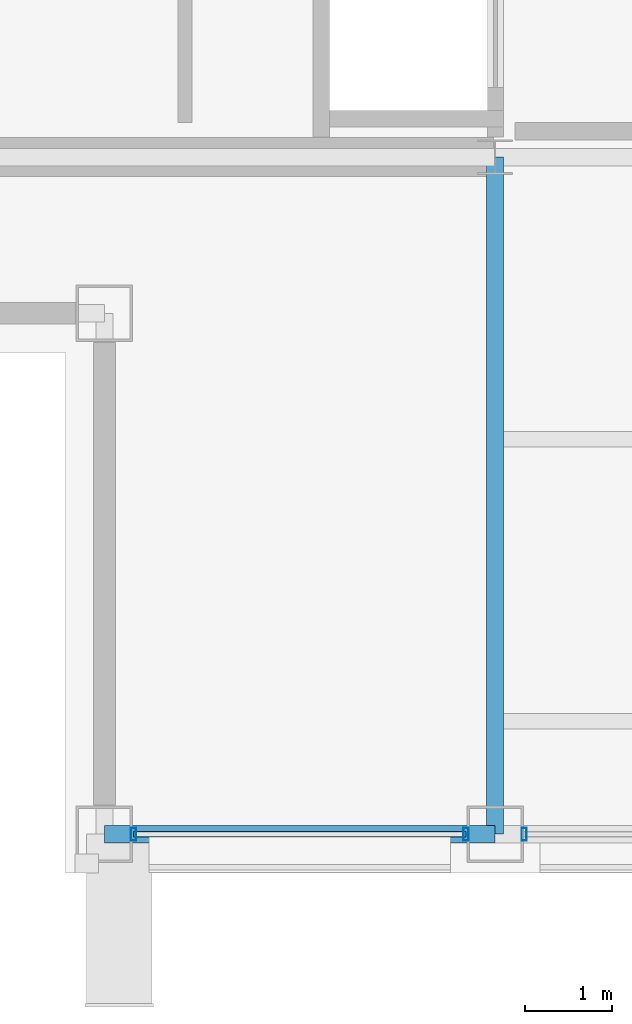
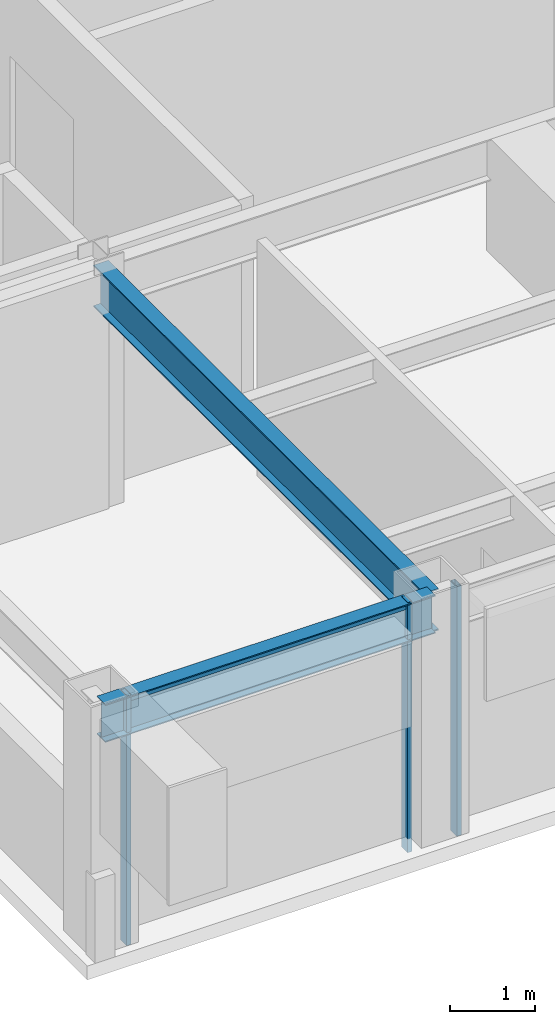
# One storey, part 2 of 20: 4 members, 2 beams, 2 elements without a shape of their own.
"""IFC4 building model written with IfcOpenShell, lengths in metres."""

from ifc_helpers import new_model, si_unit, direction, frame, origin, origin_2d, place, context, subcontext, project, spatial, hollow_rectangle, i_section, extrude, material, layer, layer_set, material_profile, profile_set, type_object, element, aggregate, save


model = new_model("IFC4")

# Units and contexts
model_context = context("Model", 3, precision=1e-05, world=origin(), true_north=direction((0.0, 1.0)))
body_context = subcontext(model_context, "Body", "Model", "MODEL_VIEW")
ifc_project = project(units=[si_unit("LENGTHUNIT", "METRE"), si_unit("AREAUNIT", "SQUARE_METRE"), si_unit("VOLUMEUNIT", "CUBIC_METRE"), si_unit("PLANEANGLEUNIT", "RADIAN"), si_unit("MASSUNIT", "GRAM", prefix="KILO")], contexts=[model_context])

# Site, building, storey
site_placement = place(None, origin())
site = spatial("IfcSite", under=ifc_project, at=site_placement, CompositionType="ELEMENT")
building_placement = place(site_placement, origin())
building = spatial("IfcBuilding", under=site, at=building_placement, Name="Brelmoor Portico Tower", CompositionType="ELEMENT")
storey_placement = place(building_placement, frame((0.0, 0.0, 243.60009765625)))
storey = spatial("IfcBuildingStorey", under=building, at=storey_placement, Name="L64", CompositionType="ELEMENT", Elevation=243.60009765625)

# Beams
ifc_material_1 = material(Name="Steel Q355B", Category="steel")
ifc_material_profile_1 = material_profile(ifc_material_1, i_section(OverallWidth=0.199951171875, OverallDepth=0.60009765625, WebThickness=0.010986328125, FlangeThickness=0.01708984375, at=origin_2d()), Name="HN 600x200x11x17")
ifc_profile_set_1 = profile_set([ifc_material_profile_1], Name="Steel Q355B")
beam_type_1 = type_object("IfcBeamType", Name="BM-PG-600", PredefinedType="BEAM", material=ifc_profile_set_1)
beam_1_placement = place(storey_placement, frame((-8.050048828125, -17.550048828125, 3.099853515625), z_axis=(0.0, 1.0, 0.0), x_axis=(-1.0, 0.0, 0.0)))
element("IfcBeam", 1, at=beam_1_placement, inside=storey, type_object=beam_type_1, Name="L64 Primary Floor Girder PG-03", PredefinedType="BEAM", context=body_context, shape_type="SweptSolid", body=[
    extrude(i_section(OverallWidth=0.199951171875, OverallDepth=0.60009765625, WebThickness=0.010986328125, FlangeThickness=0.01708984375, at=origin_2d()), origin(), (0.0, 0.0, 1.0), 7.800048828125),
])
ifc_material_profile_2 = material_profile(ifc_material_1, i_section(OverallWidth=0.199951171875, OverallDepth=0.550048828125, WebThickness=0.010009765625, FlangeThickness=0.01611328125, at=origin_2d()), Name="HN 550x200x10x16")
ifc_profile_set_2 = profile_set([ifc_material_profile_2], Name="Steel Q355B")
beam_type_2 = type_object("IfcBeamType", Name="BM-SP-550", PredefinedType="SPANDREL", material=ifc_profile_set_2)
beam_2_placement = place(storey_placement, frame((-12.550048828125, -17.550048828125, 3.125), z_axis=(1.0, 0.0, 0.0), x_axis=(0.0, 1.0, 0.0)))
element("IfcBeam", 2, at=beam_2_placement, inside=storey, type_object=beam_type_2, Name="L64 Perimeter Spandrel Beam SP-01", PredefinedType="SPANDREL", context=body_context, shape_type="SweptSolid", body=[
    extrude(i_section(OverallWidth=0.199951171875, OverallDepth=0.550048828125, WebThickness=0.010009765625, FlangeThickness=0.01611328125, at=origin_2d()), origin(), (0.0, 0.0, 1.0), 4.5),
])

# Curtain wall, members
ifc_material_2 = material(Name="Anodised Aluminium Alloy 6063-T6", Category="aluminium")
ifc_layer = layer(ifc_material_2, 0.179931640625)
ifc_layer_set = layer_set([ifc_layer], Name="Anodised Aluminium Alloy 6063-T6")
curtain_wall_type = type_object("IfcCurtainWallType", Name="CW-TOWER-Z4-XB", PredefinedType="NOTDEFINED", material=ifc_layer_set)
curtain_wall_1_placement = place(storey_placement, origin())
curtain_wall_1 = element("IfcCurtainWall", 3, at=curtain_wall_1_placement, inside=storey, type_object=curtain_wall_type, Name="L64 Curtain Wall CW-L64-01-1", PredefinedType="NOTDEFINED")
ifc_material_profile_3 = material_profile(ifc_material_2, hollow_rectangle(XDim=0.06005859375, YDim=0.14990234375, WallThickness=0.00390625, at=origin_2d()), Name="ALU MULLION 60x150")
ifc_profile_set_3 = profile_set([ifc_material_profile_3], Name="Anodised Aluminium Alloy 6063-T6")
member_type_1 = type_object("IfcMemberType", Name="MB-CW-MULL-150", PredefinedType="MULLION", material=ifc_profile_set_3)
member_1_placement = place(storey_placement, frame((-12.215087890625, -17.550048828125, -0.2001953125), z_axis=(0.0, 0.0, 1.0), x_axis=(1.0, 0.0, 0.0)))
member_1 = element("IfcMember", 4, at=member_1_placement, type_object=member_type_1, Name="CW-L64-01-1 Mullion 00", PredefinedType="MULLION", context=body_context, shape_type="SweptSolid", body=[
    extrude(hollow_rectangle(XDim=0.06005859375, YDim=0.14990234375, WallThickness=0.00390625, at=origin_2d()), origin(), (0.0, 0.0, 1.0), 3.60009765625),
])
member_2_placement = place(storey_placement, frame((-8.385009765625, -17.550048828125, -0.2001953125), z_axis=(0.0, 0.0, 1.0), x_axis=(1.0, 0.0, 0.0)))
member_2 = element("IfcMember", 5, at=member_2_placement, type_object=member_type_1, Name="CW-L64-01-1 Mullion 01", PredefinedType="MULLION", context=body_context, shape_type="SweptSolid", body=[
    extrude(hollow_rectangle(XDim=0.06005859375, YDim=0.14990234375, WallThickness=0.00390625, at=origin_2d()), origin(), (0.0, 0.0, 1.0), 3.60009765625),
])

# Curtain wall, member
curtain_wall_2_placement = place(storey_placement, origin())
curtain_wall_2 = element("IfcCurtainWall", 6, at=curtain_wall_2_placement, inside=storey, type_object=curtain_wall_type, Name="L64 Curtain Wall CW-L64-01-2", PredefinedType="NOTDEFINED")
member_3_placement = place(storey_placement, frame((-7.715087890625, -17.550048828125, -0.2001953125), z_axis=(0.0, 0.0, 1.0), x_axis=(1.0, 0.0, 0.0)))
member_3 = element("IfcMember", 7, at=member_3_placement, type_object=member_type_1, Name="CW-L64-01-2 Mullion 00", PredefinedType="MULLION", context=body_context, shape_type="SweptSolid", body=[
    extrude(hollow_rectangle(XDim=0.06005859375, YDim=0.14990234375, WallThickness=0.00390625, at=origin_2d()), origin(), (0.0, 0.0, 1.0), 3.60009765625),
])
aggregate(curtain_wall_2, [member_3])

# Member
ifc_material_profile_4 = material_profile(ifc_material_2, hollow_rectangle(XDim=0.06005859375, YDim=0.125, WallThickness=0.00341796875, at=origin_2d()), Name="ALU TRANSOM 60x125")
ifc_profile_set_4 = profile_set([ifc_material_profile_4], Name="Anodised Aluminium Alloy 6063-T6")
member_type_2 = type_object("IfcMemberType", Name="MB-CW-TRAN-125", PredefinedType="USERDEFINED", material=ifc_profile_set_4)
member_4_placement = place(storey_placement, frame((-12.215087890625, -17.550048828125, 3.33740234375), z_axis=(1.0, 0.0, 0.0), x_axis=(0.0, 1.0, 0.0)))
member_4 = element("IfcMember", 8, at=member_4_placement, type_object=member_type_2, Name="CW-L64-01-1 Transom 1-00", ObjectType="TRANSOM", PredefinedType="USERDEFINED", context=body_context, shape_type="SweptSolid", body=[
    extrude(hollow_rectangle(XDim=0.06005859375, YDim=0.125, WallThickness=0.00341796875, at=origin_2d()), origin(), (0.0, 0.0, 1.0), 3.830078125),
])

aggregate(curtain_wall_1, [member_1, member_2, member_4])

save(model, "model.ifc")
